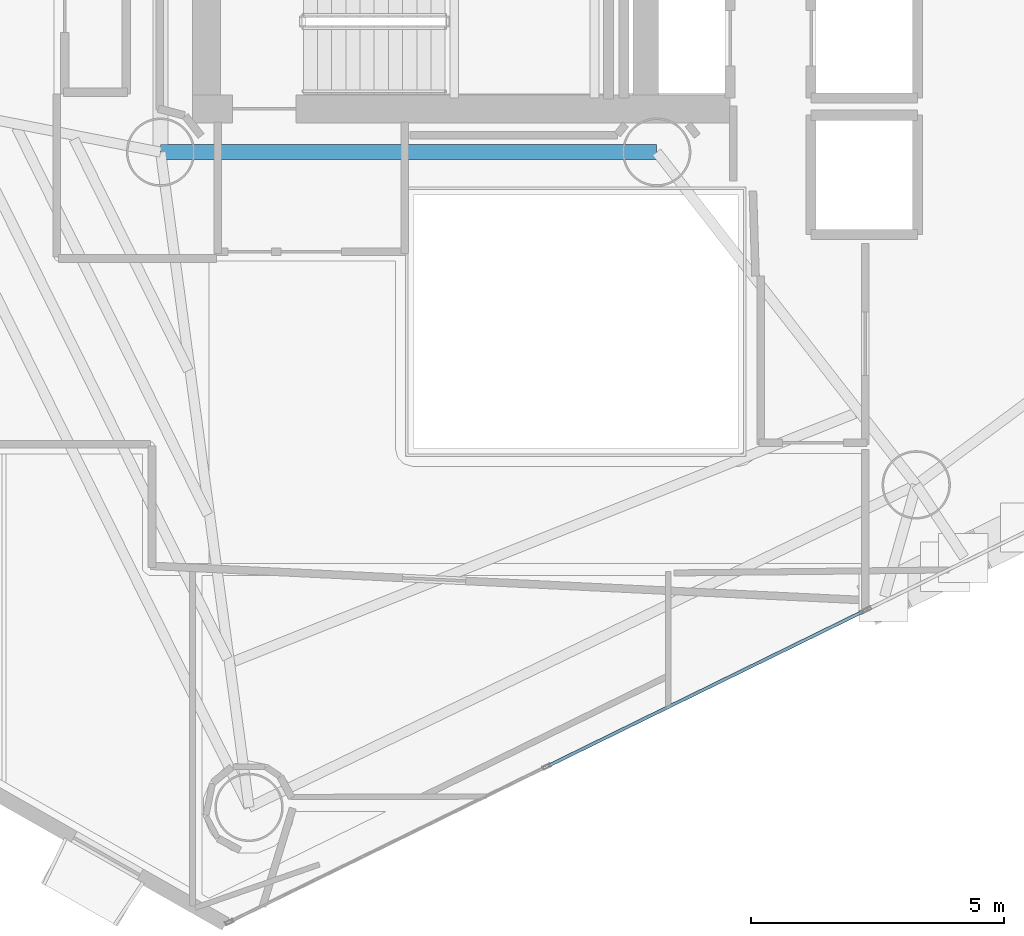
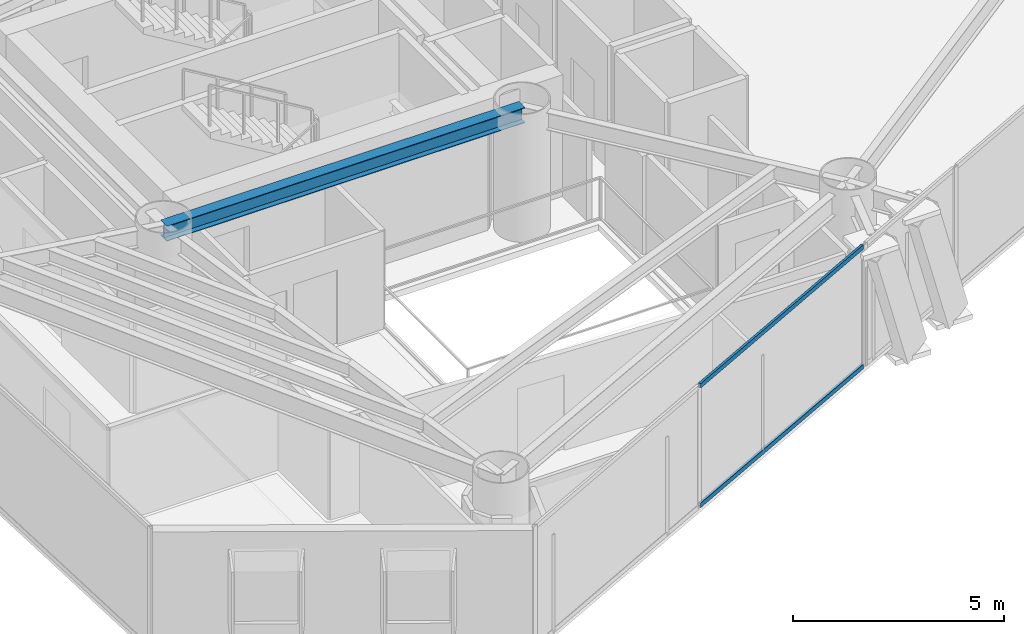
# One storey, part 5 of 22: 2 members, 1 beam, 1 element without a shape of its own.
"""IFC4 building model written with IfcOpenShell, lengths in metres."""

from ifc_helpers import new_model, si_unit, direction, frame, origin, origin_2d, place, context, subcontext, project, spatial, hollow_rectangle, i_section, extrude, material, layer, layer_set, material_profile, profile_set, type_object, element, aggregate, save


model = new_model("IFC4")

# Units and contexts
model_context = context("Model", 3, precision=1e-05, world=origin(), true_north=direction((0.0, 1.0)))
body_context = subcontext(model_context, "Body", "Model", "MODEL_VIEW")
ifc_project = project(units=[si_unit("LENGTHUNIT", "METRE"), si_unit("AREAUNIT", "SQUARE_METRE"), si_unit("VOLUMEUNIT", "CUBIC_METRE"), si_unit("PLANEANGLEUNIT", "RADIAN"), si_unit("MASSUNIT", "GRAM", prefix="KILO")], contexts=[model_context])

# Site, building, storey
site_placement = place(None, origin())
site = spatial("IfcSite", under=ifc_project, at=site_placement, CompositionType="ELEMENT")
building_placement = place(site_placement, origin())
building = spatial("IfcBuilding", under=site, at=building_placement, Name="Qianvela Tower", CompositionType="ELEMENT")
storey_placement = place(building_placement, frame((0.0, 0.0, 158.699951171875)))
storey = spatial("IfcBuildingStorey", under=building, at=storey_placement, Name="L40", CompositionType="ELEMENT", Elevation=158.699951171875)

# Beam
ifc_material_1 = material(Name="Steel Q355B", Category="steel")
ifc_material_profile_1 = material_profile(ifc_material_1, i_section(OverallWidth=0.300048828125, OverallDepth=0.43994140625, WebThickness=0.010986328125, FlangeThickness=0.01806640625, at=origin_2d()), Name="HM440x300x11x18")
ifc_profile_set_1 = profile_set([ifc_material_profile_1], Name="Steel Q355B")
beam_type = type_object("IfcBeamType", Name="BM-HM440-COLL", PredefinedType="BEAM", material=ifc_profile_set_1)
beam_placement = place(storey_placement, frame((28.60009765625, 23.85009765625, 3.298095703125), z_axis=(1.0, 0.0, 0.0), x_axis=(0.0, 1.0, 0.0)))
element("IfcBeam", 1, at=beam_placement, inside=storey, type_object=beam_type, Name="L40 Core Ring Collector Girder CC1", PredefinedType="BEAM", context=body_context, shape_type="SweptSolid", body=[
    extrude(i_section(OverallWidth=0.300048828125, OverallDepth=0.43994140625, WebThickness=0.010986328125, FlangeThickness=0.01806640625, at=origin_2d()), origin(), (0.0, 0.0, 1.0), 9.7998046875),
])

# Curtain wall, members
ifc_material_2 = material(Name="Anodised Architectural Aluminium and Low-E Glass", Category="aluminium")
ifc_layer = layer(ifc_material_2, 0.169921875)
ifc_layer_set = layer_set([ifc_layer], Name="Anodised Architectural Aluminium and Low-E Glass")
curtain_wall_type = type_object("IfcCurtainWallType", Name="CW-COLIV-Z34", PredefinedType="USERDEFINED", material=ifc_layer_set)
curtain_wall_placement = place(storey_placement, origin())
curtain_wall = element("IfcCurtainWall", 2, at=curtain_wall_placement, inside=storey, type_object=curtain_wall_type, Name="L40 CW-COLIV-Z34 Curtain Wall 06A", ObjectType="CURTAIN_WALL_SYSTEM", PredefinedType="USERDEFINED")
ifc_material_3 = material(Name="Anodised Architectural Aluminium 6063-T6", Category="aluminium")
ifc_material_profile_2 = material_profile(ifc_material_3, hollow_rectangle(XDim=0.06494140625, YDim=0.1298828125, WallThickness=0.00439453125, at=origin_2d()), Name="ALU-TRAN-65x130")
ifc_profile_set_2 = profile_set([ifc_material_profile_2], Name="Anodised Architectural Aluminium 6063-T6")
member_type = type_object("IfcMemberType", Name="CW-COLIV-Z34-TRAN", PredefinedType="USERDEFINED", material=ifc_profile_set_2)
member_1_placement = place(storey_placement, frame((36.25634765625, 11.72900390625, 0.032470703125), z_axis=(0.897928654244, 0.44014103636, 0.0), x_axis=(-0.44014103636, 0.897928654244, 0.0)))
member_1 = element("IfcMember", 3, at=member_1_placement, type_object=member_type, Name="CW-4 transom 2.1", ObjectType="TRANSOM", PredefinedType="USERDEFINED", context=body_context, shape_type="SweptSolid", body=[
    extrude(hollow_rectangle(XDim=0.06494140625, YDim=0.1298828125, WallThickness=0.00439453125, at=origin_2d()), origin(), (0.0, 0.0, 1.0), 6.91748046875),
])
member_2_placement = place(storey_placement, frame((36.25634765625, 11.72900390625, 3.487548828125), z_axis=(0.897928654244, 0.44014103636, 0.0), x_axis=(-0.44014103636, 0.897928654244, 0.0)))
member_2 = element("IfcMember", 4, at=member_2_placement, type_object=member_type, Name="CW-4 transom 2.2", ObjectType="TRANSOM", PredefinedType="USERDEFINED", context=body_context, shape_type="SweptSolid", body=[
    extrude(hollow_rectangle(XDim=0.06494140625, YDim=0.1298828125, WallThickness=0.00439453125, at=origin_2d()), origin(), (0.0, 0.0, 1.0), 6.91748046875),
])
aggregate(curtain_wall, [member_1, member_2])

save(model, "model.ifc")
